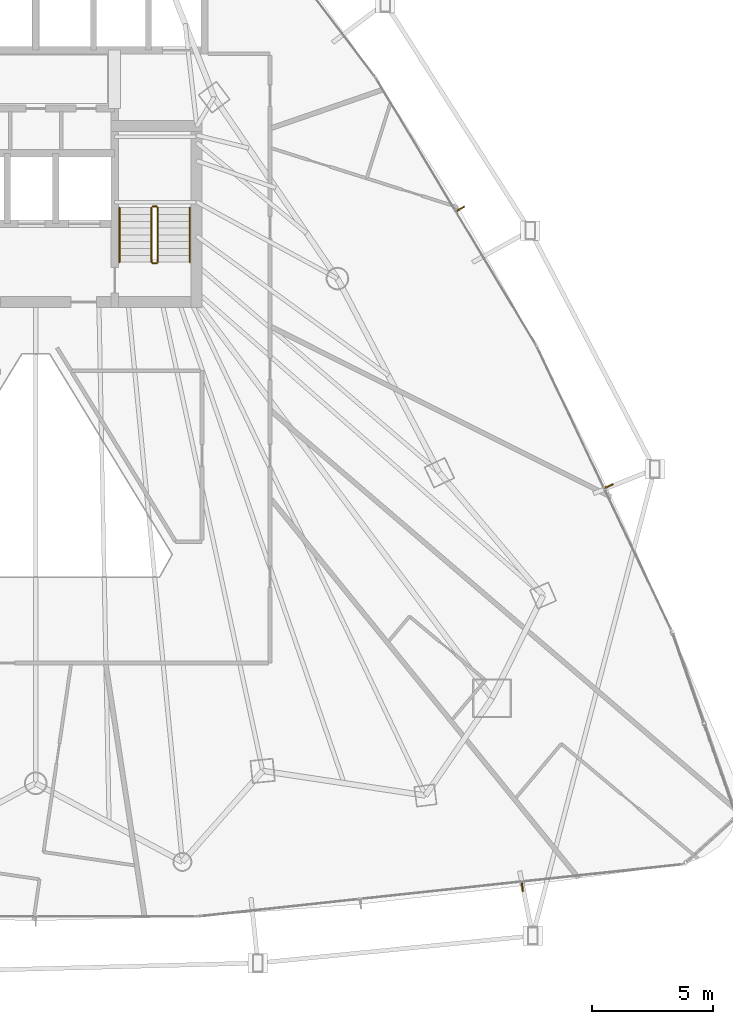
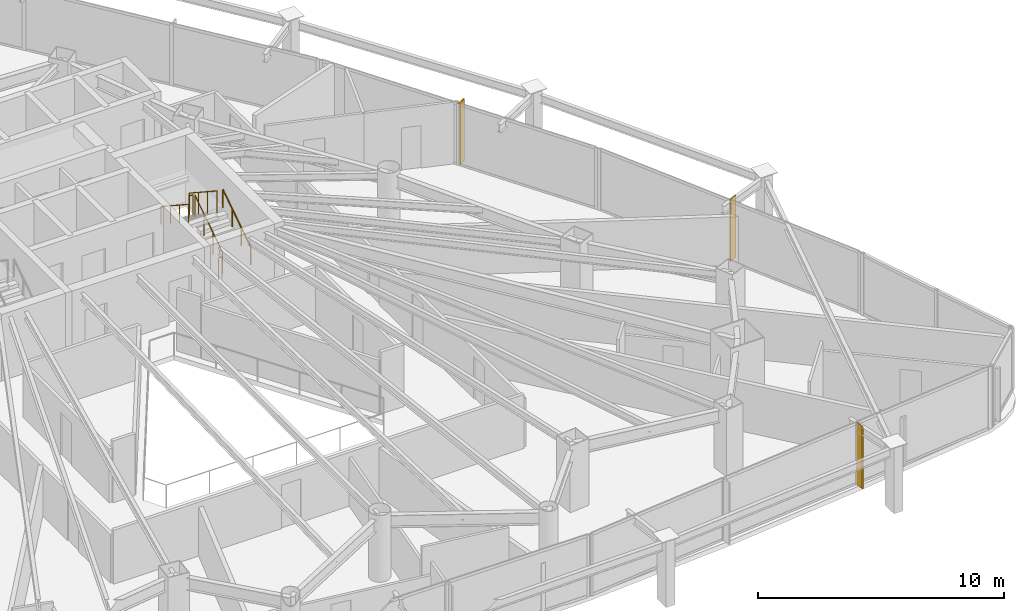
# One storey, part 34 of 35: 6 railings, 3 shading devices.
"""IFC4 building model written with IfcOpenShell, lengths in metres."""

from ifc_helpers import new_model, si_unit, direction, frame, origin, origin_2d, place, context, subcontext, project, spatial, rectangle, circle, extrude, material, layer, layer_set, type_object, element, save


model = new_model("IFC4")

# Units and contexts
model_context = context("Model", 3, precision=1e-05, world=origin(), true_north=direction((0.0, 1.0)))
body_context = subcontext(model_context, "Body", "Model", "MODEL_VIEW")
ifc_project = project(units=[si_unit("LENGTHUNIT", "METRE"), si_unit("AREAUNIT", "SQUARE_METRE"), si_unit("VOLUMEUNIT", "CUBIC_METRE"), si_unit("PLANEANGLEUNIT", "RADIAN"), si_unit("MASSUNIT", "GRAM", prefix="KILO")], contexts=[model_context])

# Site, building, storey
site_placement = place(None, origin())
site = spatial("IfcSite", under=ifc_project, at=site_placement, CompositionType="ELEMENT")
building_placement = place(site_placement, origin())
building = spatial("IfcBuilding", under=site, at=building_placement, Name="Orvanel Arch Residences", CompositionType="ELEMENT")
storey_placement = place(building_placement, frame((0.0, 0.0, 40.10009765625)))
storey = spatial("IfcBuildingStorey", under=building, at=storey_placement, Name="L10", CompositionType="ELEMENT", Elevation=40.10009765625)

# Shading devices
ifc_material_1 = material(Name="Bronze-anodised aluminium AA6063-T6", Category="aluminium")
ifc_layer = layer(ifc_material_1, 0.06005859375)
ifc_layer_set = layer_set([ifc_layer], Name="Bronze-anodised aluminium AA6063-T6")
shading_device_type = type_object("IfcShadingDeviceType", Name="FIN-BRZ-380", PredefinedType="USERDEFINED", material=ifc_layer_set)
for number, where, z_axis, x_axis, name in (
    (1, (53.050048828125, 2.575927734375, -0.000244140625), (0.0, 0.0, 1.0), (0.106264071336, -0.994337944133, 0.0), "L10 Anodised Bronze Mullion FIN 02"),
    (2, (56.616943359375, 19.090087890625, -0.000244140625), (0.0, 0.0, 1.0), (0.903335292863, 0.428935133403, 0.0), "L10 Anodised Bronze Mullion FIN 01"),
    (3, (50.5009765625, 30.514892578125, -0.000244140625), (0.0, 0.0, 1.0), (0.857167300702, 0.51503807491, 0.0), "L10 Anodised Bronze Mullion FIN 01"),
):
    element("IfcShadingDevice", number, at=place(storey_placement, frame(where, z_axis=z_axis, x_axis=x_axis)), inside=storey, type_object=shading_device_type, Name=name, ObjectType="FIN", PredefinedType="USERDEFINED", context=body_context, shape_type="SweptSolid", body=[
        extrude(rectangle(XDim=0.3798828125, YDim=0.06005859375, at=origin_2d()), origin(), (0.0, 0.0, 1.0), 3.06005859375),
    ])

# Railings
ifc_material_2 = material(Name="Structural steel AS/NZS 1163 C350L0 (Grade 350)", Category="steel")
railing_type_1 = type_object("IfcRailingType", Name="RL-STAIR-GUARD", PredefinedType="GUARDRAIL", material=ifc_material_2)
railing_1_placement = place(storey_placement, frame((38.030029296875, 28.320068359375, 0.183349609375)))
element("IfcRailing", 4, at=railing_1_placement, inside=storey, type_object=railing_type_1, Name="L10 ST-2 stair guard 1", PredefinedType="GUARDRAIL", context=body_context, shape_type="SweptSolid", body=[
    extrude(circle(Radius=0.02392578125, at=origin_2d()), frame((0.0, 0.001220703125, 1.076904296875), z_axis=(0.0, 0.836636935527, 0.547757827979), x_axis=(-1.0, 0.0, 0.0)), (0.0, 0.0, 1.0), 2.67431640625),
    extrude(circle(Radius=0.02099609375, at=origin_2d()), origin(), (0.0, 0.0, 1.0), 1.050048828125),
    extrude(circle(Radius=0.02099609375, at=origin_2d()), frame((0.0, 0.74658203125, 0.48876953125)), (0.0, 0.0, 1.0), 1.050048828125),
    extrude(circle(Radius=0.02099609375, at=origin_2d()), frame((0.0, 1.493408203125, 0.977783203125)), (0.0, 0.0, 1.0), 1.050048828125),
    extrude(circle(Radius=0.02099609375, at=origin_2d()), frame((0.0, 2.239990234375, 1.466552734375)), (0.0, 0.0, 1.0), 1.050048828125),
])
railing_2_placement = place(storey_placement, frame((37.97998046875, 30.610107421875, 1.64990234375)))
element("IfcRailing", 5, at=railing_2_placement, inside=storey, type_object=railing_type_1, Name="L10 ST-2 stair guard 2", PredefinedType="GUARDRAIL", context=body_context, shape_type="SweptSolid", body=[
    extrude(circle(Radius=0.02392578125, at=origin_2d()), frame((-0.00146484375, 0.0, 1.076171875), z_axis=(-1.0, 0.0, 0.0), x_axis=(0.0, -1.0, 0.0)), (0.0, 0.0, 1.0), 0.156982421875),
    extrude(circle(Radius=0.02099609375, at=origin_2d()), origin(), (0.0, 0.0, 1.0), 1.050048828125),
    extrude(circle(Radius=0.02099609375, at=origin_2d()), frame((-0.159912109375, 0.0, 0.0)), (0.0, 0.0, 1.0), 1.050048828125),
])
railing_3_placement = place(storey_placement, frame((37.77001953125, 30.56005859375, 1.833251953125)))
element("IfcRailing", 6, at=railing_3_placement, inside=storey, type_object=railing_type_1, Name="L10 ST-2 stair guard 3", PredefinedType="GUARDRAIL", context=body_context, shape_type="SweptSolid", body=[
    extrude(circle(Radius=0.02392578125, at=origin_2d()), frame((0.0, -0.001220703125, 1.076904296875), z_axis=(0.0, -0.836636935527, 0.547757827979), x_axis=(1.0, 0.0, 0.0)), (0.0, 0.0, 1.0), 2.67431640625),
    extrude(circle(Radius=0.02099609375, at=origin_2d()), origin(), (0.0, 0.0, 1.0), 1.050048828125),
    extrude(circle(Radius=0.02099609375, at=origin_2d()), frame((0.0, -0.74658203125, 0.48876953125)), (0.0, 0.0, 1.0), 1.050048828125),
    extrude(circle(Radius=0.02099609375, at=origin_2d()), frame((0.0, -1.493408203125, 0.977783203125)), (0.0, 0.0, 1.0), 1.050048828125),
    extrude(circle(Radius=0.02099609375, at=origin_2d()), frame((0.0, -2.239990234375, 1.466552734375)), (0.0, 0.0, 1.0), 1.050048828125),
])
railing_4_placement = place(storey_placement, frame((37.97998046875, 28.27001953125, 0.0)))
element("IfcRailing", 7, at=railing_4_placement, inside=storey, type_object=railing_type_1, Name="L10 ST-2 stair guard 4", PredefinedType="GUARDRAIL", context=body_context, shape_type="SweptSolid", body=[
    extrude(circle(Radius=0.02392578125, at=origin_2d()), frame((-0.00146484375, 0.0, 1.076171875), z_axis=(-1.0, 0.0, 0.0), x_axis=(0.0, -1.0, 0.0)), (0.0, 0.0, 1.0), 0.156982421875),
    extrude(circle(Radius=0.02099609375, at=origin_2d()), origin(), (0.0, 0.0, 1.0), 1.050048828125),
    extrude(circle(Radius=0.02099609375, at=origin_2d()), frame((-0.159912109375, 0.0, 0.0)), (0.0, 0.0, 1.0), 1.050048828125),
])
railing_type_2 = type_object("IfcRailingType", Name="RL-STAIR-HAND", PredefinedType="HANDRAIL", material=ifc_material_2)
railing_5_placement = place(storey_placement, frame((39.35009765625, 28.320068359375, 0.183349609375)))
element("IfcRailing", 8, at=railing_5_placement, inside=storey, type_object=railing_type_2, Name="L10 ST-2 stair handrail 1", PredefinedType="HANDRAIL", context=body_context, shape_type="SweptSolid", body=[
    extrude(circle(Radius=0.02392578125, at=origin_2d()), frame((0.0, 0.001220703125, 0.876708984375), z_axis=(0.0, 0.836636935527, 0.547757827979), x_axis=(-1.0, 0.0, 0.0)), (0.0, 0.0, 1.0), 2.67431640625),
    extrude(circle(Radius=0.02099609375, at=origin_2d()), origin(), (0.0, 0.0, 1.0), 0.849853515625),
    extrude(circle(Radius=0.02099609375, at=origin_2d()), frame((0.0, 0.74658203125, 0.48876953125)), (0.0, 0.0, 1.0), 0.849853515625),
    extrude(circle(Radius=0.02099609375, at=origin_2d()), frame((0.0, 1.493408203125, 0.977783203125)), (0.0, 0.0, 1.0), 0.849853515625),
    extrude(circle(Radius=0.02099609375, at=origin_2d()), frame((0.0, 2.239990234375, 1.466552734375)), (0.0, 0.0, 1.0), 0.849853515625),
])
railing_6_placement = place(storey_placement, frame((36.449951171875, 30.56005859375, 1.833251953125)))
element("IfcRailing", 9, at=railing_6_placement, inside=storey, type_object=railing_type_2, Name="L10 ST-2 stair handrail 2", PredefinedType="HANDRAIL", context=body_context, shape_type="SweptSolid", body=[
    extrude(circle(Radius=0.02392578125, at=origin_2d()), frame((0.0, -0.001220703125, 0.876708984375), z_axis=(0.0, -0.836636935527, 0.547757827979), x_axis=(1.0, 0.0, 0.0)), (0.0, 0.0, 1.0), 2.67431640625),
    extrude(circle(Radius=0.02099609375, at=origin_2d()), origin(), (0.0, 0.0, 1.0), 0.849853515625),
    extrude(circle(Radius=0.02099609375, at=origin_2d()), frame((0.0, -0.74658203125, 0.48876953125)), (0.0, 0.0, 1.0), 0.849853515625),
    extrude(circle(Radius=0.02099609375, at=origin_2d()), frame((0.0, -1.493408203125, 0.977783203125)), (0.0, 0.0, 1.0), 0.849853515625),
    extrude(circle(Radius=0.02099609375, at=origin_2d()), frame((0.0, -2.239990234375, 1.466552734375)), (0.0, 0.0, 1.0), 0.849853515625),
])

save(model, "model.ifc")
